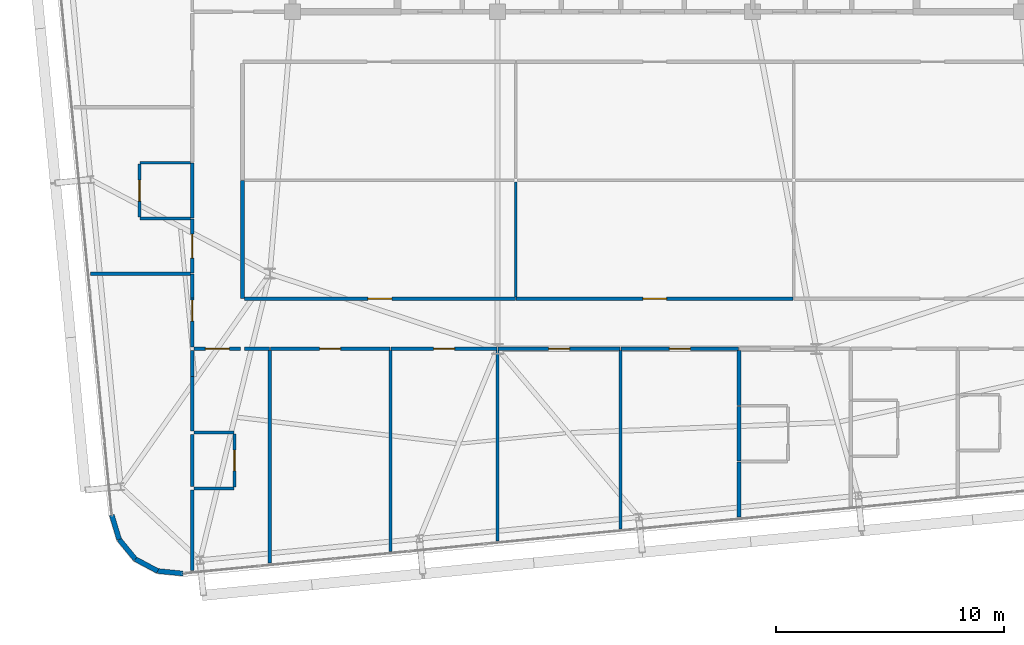
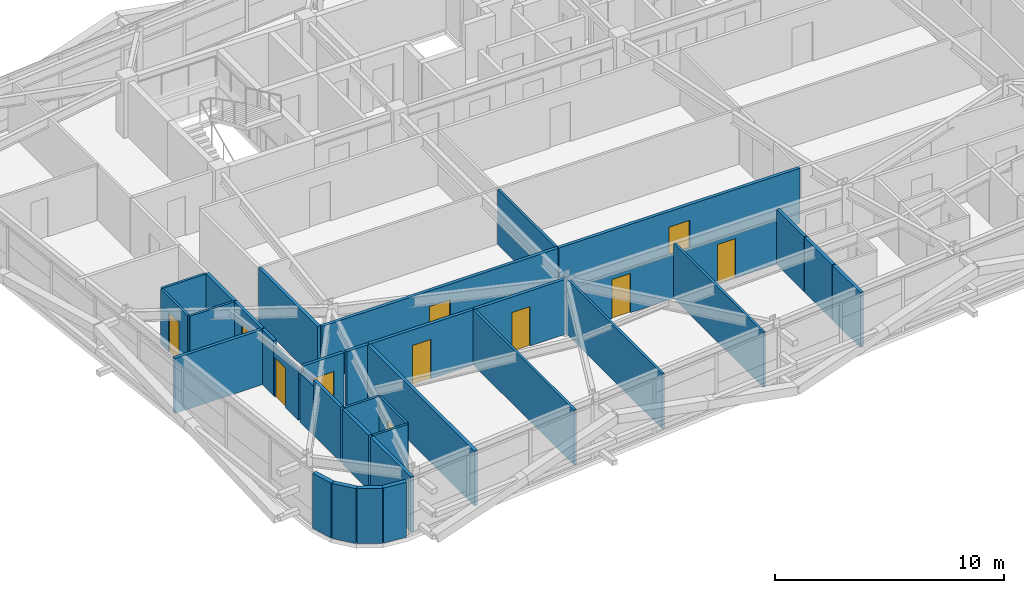
# One storey, part 46 of 54: 36 walls, 11 doors, 11 openings.
"""IFC4 building model written with IfcOpenShell, lengths in metres."""

from ifc_helpers import new_model, si_unit, direction, frame, frame_2d, origin, place, context, subcontext, project, spatial, rectangle, extrude, source, transform, mapped, material, layer, layer_set, type_object, element, fill, save


model = new_model("IFC4")

# Units and contexts
model_context = context("Model", 3, precision=1e-05, world=origin(), true_north=direction((0.0, 1.0)))
body_context = subcontext(model_context, "Body", "Model", "MODEL_VIEW")
ifc_project = project(units=[si_unit("LENGTHUNIT", "METRE"), si_unit("AREAUNIT", "SQUARE_METRE"), si_unit("VOLUMEUNIT", "CUBIC_METRE"), si_unit("PLANEANGLEUNIT", "RADIAN"), si_unit("MASSUNIT", "GRAM", prefix="KILO")], contexts=[model_context])

# Site, building, storey
site_placement = place(None, origin())
site = spatial("IfcSite", under=ifc_project, at=site_placement, CompositionType="ELEMENT")
building_placement = place(site_placement, origin())
building = spatial("IfcBuilding", under=site, at=building_placement, Name="Taldren Reach Tower", CompositionType="ELEMENT")
storey_placement = place(building_placement, frame((0.0, 0.0, 99.75)))
storey = spatial("IfcBuildingStorey", under=building, at=storey_placement, Name="L30", CompositionType="ELEMENT", Elevation=99.75)

# Walls
ifc_material_1 = material(Name="Pale Champagne Anodised Aluminium Cladding", Category="aluminium")
ifc_layer_1 = layer(ifc_material_1, 0.04, Name="Pale Champagne Anodised Aluminium Cladding", Category="aluminium")
ifc_material_2 = material(Name="Mineral Wool Acoustic Insulation", Category="insulation")
ifc_layer_2 = layer(ifc_material_2, 0.06, Name="Mineral Wool Acoustic Insulation", Category="insulation")
ifc_material_3 = material(Name="Steel Gr 350 (C350L0)", Category="steel")
ifc_layer_3 = layer(ifc_material_3, 0.12, Name="Steel Gr 350 (C350L0)", Category="steel")
ifc_layer_set_1 = layer_set([ifc_layer_1, ifc_layer_2, ifc_layer_3], Name="Pale Champagne Aluminium Cladding and Steel Gr 350 Stud Framing")
wall_type_1 = type_object("IfcWallType", Name="EW-CRN-220", PredefinedType="SOLIDWALL", material=ifc_layer_set_1)
shared_shape_1 = source(origin(), body_context, "Body", "SweptSolid", [
    extrude(rectangle(XDim=1.115966796875, YDim=0.219970703125, at=frame_2d((0.55810546875, 0.0))), origin(), (0.0, 0.0, 1.0), 2.929931640625),
])
for number, where, z_axis, x_axis, name in (
    (1, (11.062255859375, 1.90185546875, 0.0), (0.0, 0.0, 1.0), (0.289855603468, -0.957070388811, 0.0), "Rounded-corner pale-metal facade wall L30-SW1"),
    (2, (11.3857421875, 0.833740234375, 0.0), (0.0, 0.0, 1.0), (0.633988016432, -0.773342870285, 0.0), "Rounded-corner pale-metal facade wall L30-SW2"),
    (3, (13.0771484375, -0.5556640625, 0.0), (0.0, 0.0, 1.0), (0.995142755671, -0.09844234778, 0.0), "Rounded-corner pale-metal facade wall L30-SW4"),
):
    element("IfcWall", number, at=place(storey_placement, frame(where, z_axis=z_axis, x_axis=x_axis)), inside=storey, type_object=wall_type_1, Name=name, PredefinedType="SOLIDWALL", context=body_context, shape_type="MappedRepresentation", body=[
        mapped(shared_shape_1, transform((0.0, 0.0, 0.0), scale=1.0)),
    ])
shared_shape_2 = source(origin(), body_context, "Body", "SweptSolid", [
    extrude(rectangle(XDim=1.11572265625, YDim=0.219970703125, at=frame_2d((0.557861328125, 0.0))), origin(), (0.0, 0.0, 1.0), 2.929931640625),
])
wall_1_placement = place(storey_placement, frame((12.09326171875, -0.029296875, 0.0), z_axis=(0.0, 0.0, 1.0), x_axis=(0.881746547635, -0.471723463201, 0.0)))
element("IfcWall", 4, at=wall_1_placement, inside=storey, type_object=wall_type_1, Name="Rounded-corner pale-metal facade wall L30-SW3", PredefinedType="SOLIDWALL", context=body_context, shape_type="MappedRepresentation", body=[
    mapped(shared_shape_2, transform((0.0, 0.0, 0.0), scale=1.0)),
])

# Wall, opening, door
ifc_material_4 = material(Name="Fire-Rated Acoustic Plasterboard Stud Wall", Category="gypsum")
ifc_layer_4 = layer(ifc_material_4, 0.159912109375)
ifc_layer_set_2 = layer_set([ifc_layer_4], Name="Fire-Rated Acoustic Plasterboard Stud Wall")
wall_type_2 = type_object("IfcWallType", Name="IW-FIRE-160", PredefinedType="PARTITIONING", material=ifc_layer_set_2)
shared_shape_3 = source(origin(), body_context, "Body", "SweptSolid", [
    extrude(rectangle(XDim=2.0400390625, YDim=0.159912109375, at=frame_2d((1.02001953125, 0.0))), origin(), (0.0, 0.0, 1.0), 2.929931640625),
])
wall_2_placement = place(storey_placement, frame((16.719970703125, 9.199951171875, 0.0), z_axis=(0.0, 0.0, 1.0), x_axis=(-1.0, 0.0, 0.0)))
wall_2 = element("IfcWall", 5, at=wall_2_placement, inside=storey, type_object=wall_type_2, Name="Interior Partition Wall W-INT-L30-067", PredefinedType="PARTITIONING", context=body_context, shape_type="MappedRepresentation", body=[
    mapped(shared_shape_3, transform((0.0, 0.0, 0.0), scale=1.0)),
])
shared_shape_4 = source(origin(), body_context, "Body", "SweptSolid", [
    extrude(rectangle(XDim=1.050048828125, YDim=2.10009765625, at=frame_2d((0.52490234375, 1.050048828125))), frame((0.0, 0.08984375, 0.0), z_axis=(0.0, -1.0, 0.0), x_axis=(1.0, 0.0, 0.0)), (0.0, 0.0, 1.0), 0.179931640625),
])
opening_1_placement = place(wall_2_placement, frame((0.4951171875, 0.0, 0.0)))
opening_1 = element("IfcOpeningElement", 6, at=opening_1_placement, cuts=wall_2, Name="Opening DF-105", PredefinedType="OPENING", context=body_context, shape_type="MappedRepresentation", body=[
    mapped(shared_shape_4, transform((0.0, 0.0, 0.0), scale=1.0)),
])
ifc_material_5 = material(Name="Fire-Rated Care and Stair Exit Door")
door_type_1 = type_object("IfcDoorType", Name="ID-FIRE-105", OperationType="NOTDEFINED", PredefinedType="DOOR", material=ifc_material_5)
shared_shape_5 = source(origin(), body_context, "Body", "SweptSolid", [
    extrude(rectangle(XDim=1.050048828125, YDim=2.10009765625, at=frame_2d((0.52490234375, 1.050048828125))), frame((0.0, 0.02490234375, 0.0), z_axis=(0.0, -1.0, 0.0), x_axis=(1.0, 0.0, 0.0)), (0.0, 0.0, 1.0), 0.050048828125),
])
door_1_placement = place(opening_1_placement, origin())
door_1 = element("IfcDoor", 7, at=door_1_placement, inside=storey, type_object=door_type_1, Name="Interior Door DR-L30-017", OperationType="SINGLE_SWING_RIGHT", OverallHeight=2.10009765625, OverallWidth=1.050048828125, PredefinedType="DOOR", context=body_context, shape_type="MappedRepresentation", body=[
    mapped(shared_shape_5, transform((0.0, 0.0, 0.0), scale=1.0)),
])
fill(opening_1, door_1)

# Walls
shared_shape_6 = source(origin(), body_context, "Body", "SweptSolid", [
    extrude(rectangle(XDim=5.15966796875, YDim=0.159912109375, at=frame_2d((2.579833984375, 0.0))), origin(), (0.0, 0.0, 1.0), 2.929931640625),
])
wall_3_placement = place(storey_placement, frame((16.800048828125, 16.579833984375, 0.0), z_axis=(0.0, 0.0, 1.0), x_axis=(0.0, -1.0, 0.0)))
element("IfcWall", 8, at=wall_3_placement, inside=storey, type_object=wall_type_2, Name="Interior Partition Wall W-INT-L30-060", PredefinedType="PARTITIONING", context=body_context, shape_type="MappedRepresentation", body=[
    mapped(shared_shape_6, transform((0.0, 0.0, 0.0), scale=1.0)),
])
shared_shape_7 = source(origin(), body_context, "Body", "SweptSolid", [
    extrude(rectangle(XDim=1.099853515625, YDim=0.159912109375, at=frame_2d((0.5498046875, 0.0))), origin(), (0.0, 0.0, 1.0), 2.929931640625),
])
wall_4_placement = place(storey_placement, frame((17.979736328125, 9.199951171875, 0.0), z_axis=(0.0, 0.0, 1.0), x_axis=(-1.0, 0.0, 0.0)))
element("IfcWall", 9, at=wall_4_placement, inside=storey, type_object=wall_type_2, Name="Interior Partition Wall W-INT-L30-081", PredefinedType="PARTITIONING", context=body_context, shape_type="MappedRepresentation", body=[
    mapped(shared_shape_7, transform((0.0, 0.0, 0.0), scale=1.0)),
])
ifc_material_6 = material(Name="Insulated Residential Stud Partition", Category="gypsum")
ifc_layer_5 = layer(ifc_material_6, 0.1201171875)
ifc_layer_set_3 = layer_set([ifc_layer_5], Name="Insulated Residential Stud Partition")
wall_type_3 = type_object("IfcWallType", Name="IW-PART-120", PredefinedType="PARTITIONING", material=ifc_layer_set_3)
shared_shape_8 = source(origin(), body_context, "Body", "SweptSolid", [
    extrude(rectangle(XDim=5.0400390625, YDim=0.1201171875, at=frame_2d((2.52001953125, 0.0))), origin(), (0.0, 0.0, 1.0), 2.929931640625),
])
wall_5_placement = place(storey_placement, frame((28.800048828125, 16.52001953125, 0.0), z_axis=(0.0, 0.0, 1.0), x_axis=(0.0, -1.0, 0.0)))
element("IfcWall", 10, at=wall_5_placement, inside=storey, type_object=wall_type_3, Name="Interior Partition Wall W-INT-L30-091", PredefinedType="PARTITIONING", context=body_context, shape_type="MappedRepresentation", body=[
    mapped(shared_shape_8, transform((0.0, 0.0, 0.0), scale=1.0)),
])

# Wall, opening, door
shared_shape_9 = source(origin(), body_context, "Body", "SweptSolid", [
    extrude(rectangle(XDim=2.330078125, YDim=0.1201171875, at=frame_2d((1.1650390625, 0.0))), origin(), (0.0, 0.0, 1.0), 2.929931640625),
])
wall_6_placement = place(storey_placement, frame((16.449951171875, 3.131591796875, 0.0), z_axis=(0.0, 0.0, 1.0), x_axis=(0.0, 1.0, 0.0)))
wall_6 = element("IfcWall", 11, at=wall_6_placement, inside=storey, type_object=wall_type_3, Name="Interior Partition Wall W-INT-L30-097", PredefinedType="PARTITIONING", context=body_context, shape_type="MappedRepresentation", body=[
    mapped(shared_shape_9, transform((0.0, 0.0, 0.0), scale=1.0)),
])
shared_shape_10 = source(origin(), body_context, "Body", "SweptSolid", [
    extrude(rectangle(XDim=0.919921875, YDim=2.10009765625, at=frame_2d((0.4599609375, 1.050048828125))), frame((0.0, 0.070068359375, 0.0), z_axis=(0.0, -1.0, 0.0), x_axis=(1.0, 0.0, 0.0)), (0.0, 0.0, 1.0), 0.14013671875),
])
opening_2_placement = place(wall_6_placement, frame((0.705078125, 0.0, 0.0)))
opening_2 = element("IfcOpeningElement", 12, at=opening_2_placement, cuts=wall_6, Name="Opening DI-092", PredefinedType="OPENING", context=body_context, shape_type="MappedRepresentation", body=[
    mapped(shared_shape_10, transform((0.0, 0.0, 0.0), scale=1.0)),
])
ifc_material_7 = material(Name="Solid-Core Timber Suite Door", Category="wood")
door_type_2 = type_object("IfcDoorType", Name="ID-INT-092", OperationType="NOTDEFINED", PredefinedType="DOOR", material=ifc_material_7)
shared_shape_11 = source(origin(), body_context, "Body", "SweptSolid", [
    extrude(rectangle(XDim=0.919921875, YDim=2.10009765625, at=frame_2d((0.4599609375, 1.050048828125))), frame((0.0, 0.02490234375, 0.0), z_axis=(0.0, -1.0, 0.0), x_axis=(1.0, 0.0, 0.0)), (0.0, 0.0, 1.0), 0.050048828125),
])
door_2_placement = place(opening_2_placement, origin())
door_2 = element("IfcDoor", 13, at=door_2_placement, inside=storey, type_object=door_type_2, Name="Interior Door DR-L30-035", OperationType="SINGLE_SWING_RIGHT", OverallHeight=2.10009765625, OverallWidth=0.919921875, PredefinedType="DOOR", context=body_context, shape_type="MappedRepresentation", body=[
    mapped(shared_shape_11, transform((0.0, 0.0, 0.0), scale=1.0)),
])
fill(opening_2, door_2)

# Walls
shared_shape_12 = source(origin(), body_context, "Body", "SweptSolid", [
    extrude(rectangle(XDim=1.749755859375, YDim=0.1201171875, at=frame_2d((0.875, 0.0))), origin(), (0.0, 0.0, 1.0), 2.929931640625),
])
for number, where, z_axis, x_axis, name in (
    (14, (14.679931640625, 3.071533203125, 0.0), (0.0, 0.0, 1.0), (1.0, 0.0, 0.0), "Interior Partition Wall W-INT-L30-098"),
    (15, (16.4296875, 5.521484375, 0.0), (0.0, 0.0, 1.0), (-1.0, 0.0, 0.0), "Interior Partition Wall W-INT-L30-099"),
):
    element("IfcWall", number, at=place(storey_placement, frame(where, z_axis=z_axis, x_axis=x_axis)), inside=storey, type_object=wall_type_3, Name=name, PredefinedType="PARTITIONING", context=body_context, shape_type="MappedRepresentation", body=[
        mapped(shared_shape_12, transform((0.0, 0.0, 0.0), scale=1.0)),
    ])
shared_shape_13 = source(origin(), body_context, "Body", "SweptSolid", [
    extrude(rectangle(XDim=2.40966796875, YDim=0.159912109375, at=frame_2d((1.204833984375, 0.0))), origin(), (0.0, 0.0, 1.0), 2.929931640625),
])
wall_7_placement = place(storey_placement, frame((38.60009765625, 6.677978515625, 0.0), z_axis=(0.0, 0.0, 1.0), x_axis=(0.0, -1.0, 0.0)))
element("IfcWall", 16, at=wall_7_placement, inside=storey, type_object=wall_type_2, Name="Interior Partition Wall W-INT-L30-109", PredefinedType="PARTITIONING", context=body_context, shape_type="MappedRepresentation", body=[
    mapped(shared_shape_13, transform((0.0, 0.0, 0.0), scale=1.0)),
])
shared_shape_14 = source(origin(), body_context, "Body", "SweptSolid", [
    extrude(rectangle(XDim=2.2900390625, YDim=0.159912109375, at=frame_2d((1.14501953125, 0.0))), origin(), (0.0, 0.0, 1.0), 2.929931640625),
])
wall_8_placement = place(storey_placement, frame((14.60009765625, 3.151611328125, 0.0), z_axis=(0.0, 0.0, 1.0), x_axis=(0.0, 1.0, 0.0)))
element("IfcWall", 17, at=wall_8_placement, inside=storey, type_object=wall_type_2, Name="Interior Partition Wall W-INT-L30-103", PredefinedType="PARTITIONING", context=body_context, shape_type="MappedRepresentation", body=[
    mapped(shared_shape_14, transform((0.0, 0.0, 0.0), scale=1.0)),
])

# Wall, opening, door
shared_shape_15 = source(origin(), body_context, "Body", "SweptSolid", [
    extrude(rectangle(XDim=12.159423828125, YDim=0.159912109375, at=frame_2d((6.07958984375, 0.0))), origin(), (0.0, 0.0, 1.0), 2.929931640625),
])
wall_9_placement = place(storey_placement, frame((28.8203125, 11.39990234375, 0.0), z_axis=(0.0, 0.0, 1.0), x_axis=(1.0, 0.0, 0.0)))
wall_9 = element("IfcWall", 18, at=wall_9_placement, inside=storey, type_object=wall_type_2, Name="Interior Partition Wall W-INT-L30-079", PredefinedType="PARTITIONING", context=body_context, shape_type="MappedRepresentation", body=[
    mapped(shared_shape_15, transform((0.0, 0.0, 0.0), scale=1.0)),
])
opening_3_placement = place(wall_9_placement, frame((5.5546875, 0.0, 0.0)))
opening_3 = element("IfcOpeningElement", 19, at=opening_3_placement, cuts=wall_9, Name="Opening DF-105", PredefinedType="OPENING", context=body_context, shape_type="MappedRepresentation", body=[
    mapped(shared_shape_4, transform((0.0, 0.0, 0.0), scale=1.0)),
])
door_3_placement = place(opening_3_placement, origin())
door_3 = element("IfcDoor", 20, at=door_3_placement, inside=storey, type_object=door_type_1, Name="Interior Door DR-L30-026", OperationType="SINGLE_SWING_LEFT", OverallHeight=2.10009765625, OverallWidth=1.050048828125, PredefinedType="DOOR", context=body_context, shape_type="MappedRepresentation", body=[
    mapped(shared_shape_5, transform((0.0, 0.0, 0.0), scale=1.0)),
])
fill(opening_3, door_3)

shared_shape_16 = source(origin(), body_context, "Body", "SweptSolid", [
    extrude(rectangle(XDim=11.89990234375, YDim=0.159912109375, at=frame_2d((5.949951171875, 0.0))), origin(), (0.0, 0.0, 1.0), 2.929931640625),
])
wall_10_placement = place(storey_placement, frame((16.8798828125, 11.39990234375, 0.0), z_axis=(0.0, 0.0, 1.0), x_axis=(1.0, 0.0, 0.0)))
wall_10 = element("IfcWall", 21, at=wall_10_placement, inside=storey, type_object=wall_type_2, Name="Interior Partition Wall W-INT-L30-078", PredefinedType="PARTITIONING", context=body_context, shape_type="MappedRepresentation", body=[
    mapped(shared_shape_16, transform((0.0, 0.0, 0.0), scale=1.0)),
])
opening_4_placement = place(wall_10_placement, frame((5.4248046875, 0.0, 0.0)))
opening_4 = element("IfcOpeningElement", 22, at=opening_4_placement, cuts=wall_10, Name="Opening DF-105", PredefinedType="OPENING", context=body_context, shape_type="MappedRepresentation", body=[
    mapped(shared_shape_4, transform((0.0, 0.0, 0.0), scale=1.0)),
])
door_4_placement = place(opening_4_placement, origin())
door_4 = element("IfcDoor", 23, at=door_4_placement, inside=storey, type_object=door_type_1, Name="Interior Door DR-L30-025", OperationType="SINGLE_SWING_RIGHT", OverallHeight=2.10009765625, OverallWidth=1.050048828125, PredefinedType="DOOR", context=body_context, shape_type="MappedRepresentation", body=[
    mapped(shared_shape_5, transform((0.0, 0.0, 0.0), scale=1.0)),
])
fill(opening_4, door_4)

# Walls
shared_shape_17 = source(origin(), body_context, "Body", "SweptSolid", [
    extrude(rectangle(XDim=2.409423828125, YDim=0.159912109375, at=frame_2d((1.20458984375, 0.0))), origin(), (0.0, 0.0, 1.0), 2.929931640625),
])
wall_11_placement = place(storey_placement, frame((14.60009765625, 14.9453125, 0.0), z_axis=(0.0, 0.0, 1.0), x_axis=(0.0, 1.0, 0.0)))
element("IfcWall", 24, at=wall_11_placement, inside=storey, type_object=wall_type_2, Name="Interior Partition Wall W-INT-L30-072", PredefinedType="PARTITIONING", context=body_context, shape_type="MappedRepresentation", body=[
    mapped(shared_shape_17, transform((0.0, 0.0, 0.0), scale=1.0)),
])
shared_shape_18 = source(origin(), body_context, "Body", "SweptSolid", [
    extrude(rectangle(XDim=8.3486328125, YDim=0.1201171875, at=frame_2d((4.17431640625, 0.0))), origin(), (0.0, 0.0, 1.0), 2.929931640625),
])
wall_12_placement = place(storey_placement, frame((28.0, 9.1201171875, 0.0), z_axis=(0.0, 0.0, 1.0), x_axis=(0.0, -1.0, 0.0)))
element("IfcWall", 25, at=wall_12_placement, inside=storey, type_object=wall_type_3, Name="Interior Partition Wall W-INT-L30-105", PredefinedType="PARTITIONING", context=body_context, shape_type="MappedRepresentation", body=[
    mapped(shared_shape_18, transform((0.0, 0.0, 0.0), scale=1.0)),
])
shared_shape_19 = source(origin(), body_context, "Body", "SweptSolid", [
    extrude(rectangle(XDim=9.3251953125, YDim=0.159912109375, at=frame_2d((4.66259765625, 0.0))), origin(), (0.0, 0.0, 1.0), 2.929931640625),
])
wall_13_placement = place(storey_placement, frame((18.0, 9.117919921875, 0.0), z_axis=(0.0, 0.0, 1.0), x_axis=(0.0, -1.0, 0.0)))
element("IfcWall", 26, at=wall_13_placement, inside=storey, type_object=wall_type_2, Name="Interior Partition Wall W-INT-L30-100", PredefinedType="PARTITIONING", context=body_context, shape_type="MappedRepresentation", body=[
    mapped(shared_shape_19, transform((0.0, 0.0, 0.0), scale=1.0)),
])
shared_shape_20 = source(origin(), body_context, "Body", "SweptSolid", [
    extrude(rectangle(XDim=3.5166015625, YDim=0.159912109375, at=frame_2d((1.75830078125, 0.0))), origin(), (0.0, 0.0, 1.0), 2.929931640625),
])
wall_14_placement = place(storey_placement, frame((14.60009765625, -0.52490234375, 0.0), z_axis=(0.0, 0.0, 1.0), x_axis=(0.0, 1.0, 0.0)))
element("IfcWall", 27, at=wall_14_placement, inside=storey, type_object=wall_type_2, Name="Interior Partition Wall W-INT-L30-101", PredefinedType="PARTITIONING", context=body_context, shape_type="MappedRepresentation", body=[
    mapped(shared_shape_20, transform((0.0, 0.0, 0.0), scale=1.0)),
])
shared_shape_21 = source(origin(), body_context, "Body", "SweptSolid", [
    extrude(rectangle(XDim=2.373046875, YDim=0.159912109375, at=frame_2d((1.1865234375, 0.0))), origin(), (0.0, 0.0, 1.0), 2.929931640625),
])
wall_15_placement = place(storey_placement, frame((14.60009765625, 5.6015625, 0.0), z_axis=(0.0, 0.0, 1.0), x_axis=(0.0, 1.0, 0.0)))
element("IfcWall", 28, at=wall_15_placement, inside=storey, type_object=wall_type_2, Name="Interior Partition Wall W-INT-L30-102", PredefinedType="PARTITIONING", context=body_context, shape_type="MappedRepresentation", body=[
    mapped(shared_shape_21, transform((0.0, 0.0, 0.0), scale=1.0)),
])
shared_shape_22 = source(origin(), body_context, "Body", "SweptSolid", [
    extrude(rectangle(XDim=1.143310546875, YDim=0.159912109375, at=frame_2d((0.57177734375, 0.0))), origin(), (0.0, 0.0, 1.0), 2.623046875),
])
wall_16_placement = place(storey_placement, frame((14.60009765625, 7.974609375, 0.0), z_axis=(0.0, 0.0, 1.0), x_axis=(0.0, 1.0, 0.0)))
element("IfcWall", 29, at=wall_16_placement, inside=storey, type_object=wall_type_2, Name="Interior Partition Wall W-INT-L30-102 part 2", PredefinedType="PARTITIONING", context=body_context, shape_type="MappedRepresentation", body=[
    mapped(shared_shape_22, transform((0.0, 0.0, 0.0), scale=1.0)),
])

# Wall, opening, door
shared_shape_23 = source(origin(), body_context, "Body", "SweptSolid", [
    extrude(rectangle(XDim=2.329833984375, YDim=0.1201171875, at=frame_2d((1.1650390625, 0.0))), origin(), (0.0, 0.0, 1.0), 2.929931640625),
])
wall_17_placement = place(storey_placement, frame((12.279296875, 17.31494140625, 0.0), z_axis=(0.0, 0.0, 1.0), x_axis=(0.0, -1.0, 0.0)))
wall_17 = element("IfcWall", 30, at=wall_17_placement, inside=storey, type_object=wall_type_3, Name="Interior Partition Wall W-INT-L30-131", PredefinedType="PARTITIONING", context=body_context, shape_type="MappedRepresentation", body=[
    mapped(shared_shape_23, transform((0.0, 0.0, 0.0), scale=1.0)),
])
opening_5_placement = place(wall_17_placement, frame((0.705078125, 0.0, 0.0)))
opening_5 = element("IfcOpeningElement", 31, at=opening_5_placement, cuts=wall_17, Name="Opening DI-092", PredefinedType="OPENING", context=body_context, shape_type="MappedRepresentation", body=[
    mapped(shared_shape_10, transform((0.0, 0.0, 0.0), scale=1.0)),
])
door_5_placement = place(opening_5_placement, origin())
door_5 = element("IfcDoor", 32, at=door_5_placement, inside=storey, type_object=door_type_2, Name="Interior Door DR-L30-040", OperationType="SINGLE_SWING_LEFT", OverallHeight=2.10009765625, OverallWidth=0.919921875, PredefinedType="DOOR", context=body_context, shape_type="MappedRepresentation", body=[
    mapped(shared_shape_11, transform((0.0, 0.0, 0.0), scale=1.0)),
])
fill(opening_5, door_5)

shared_shape_24 = source(origin(), body_context, "Body", "SweptSolid", [
    extrude(rectangle(XDim=5.15966796875, YDim=0.159912109375, at=frame_2d((2.579833984375, 0.0))), origin(), (0.0, 0.0, 1.0), 2.327880859375),
])
wall_18_placement = place(storey_placement, frame((38.579833984375, 9.199951171875, 0.0), z_axis=(0.0, 0.0, 1.0), x_axis=(-1.0, 0.0, 0.0)))
wall_18 = element("IfcWall", 33, at=wall_18_placement, inside=storey, type_object=wall_type_2, Name="Interior Partition Wall W-INT-L30-085", PredefinedType="PARTITIONING", context=body_context, shape_type="MappedRepresentation", body=[
    mapped(shared_shape_24, transform((0.0, 0.0, 0.0), scale=1.0)),
])
shared_shape_25 = source(origin(), body_context, "Body", "SweptSolid", [
    extrude(rectangle(XDim=0.919921875, YDim=2.10009765625, at=frame_2d((0.4599609375, 1.050048828125))), frame((0.0, 0.08984375, 0.0), z_axis=(0.0, -1.0, 0.0), x_axis=(1.0, 0.0, 0.0)), (0.0, 0.0, 1.0), 0.179931640625),
])
opening_6_placement = place(wall_18_placement, frame((2.119873046875, 0.0, 0.0)))
opening_6 = element("IfcOpeningElement", 34, at=opening_6_placement, cuts=wall_18, Name="Opening DI-092", PredefinedType="OPENING", context=body_context, shape_type="MappedRepresentation", body=[
    mapped(shared_shape_25, transform((0.0, 0.0, 0.0), scale=1.0)),
])
door_6_placement = place(opening_6_placement, origin())
door_6 = element("IfcDoor", 35, at=door_6_placement, inside=storey, type_object=door_type_2, Name="Interior Door DR-L30-031", OperationType="SINGLE_SWING_RIGHT", OverallHeight=2.10009765625, OverallWidth=0.919921875, PredefinedType="DOOR", context=body_context, shape_type="MappedRepresentation", body=[
    mapped(shared_shape_11, transform((0.0, 0.0, 0.0), scale=1.0)),
])
fill(opening_6, door_6)

shared_shape_26 = source(origin(), body_context, "Body", "SweptSolid", [
    extrude(rectangle(XDim=2.159912109375, YDim=0.159912109375, at=frame_2d((1.080078125, 0.0))), origin(), (0.0, 0.0, 1.0), 2.623046875),
])
wall_19_placement = place(storey_placement, frame((14.60009765625, 9.280029296875, 0.0), z_axis=(0.0, 0.0, 1.0), x_axis=(0.0, 1.0, 0.0)))
wall_19 = element("IfcWall", 36, at=wall_19_placement, inside=storey, type_object=wall_type_2, Name="Interior Partition Wall W-INT-L30-069", PredefinedType="PARTITIONING", context=body_context, shape_type="MappedRepresentation", body=[
    mapped(shared_shape_26, transform((0.0, 0.0, 0.0), scale=1.0)),
])
opening_7_placement = place(wall_19_placement, frame((1.139892578125, 0.0, 0.0)))
opening_7 = element("IfcOpeningElement", 37, at=opening_7_placement, cuts=wall_19, Name="Opening DI-092", PredefinedType="OPENING", context=body_context, shape_type="MappedRepresentation", body=[
    mapped(shared_shape_25, transform((0.0, 0.0, 0.0), scale=1.0)),
])
door_7_placement = place(opening_7_placement, origin())
door_7 = element("IfcDoor", 38, at=door_7_placement, inside=storey, type_object=door_type_2, Name="Interior Door DR-L30-019", OperationType="SINGLE_SWING_RIGHT", OverallHeight=2.10009765625, OverallWidth=0.919921875, PredefinedType="DOOR", context=body_context, shape_type="MappedRepresentation", body=[
    mapped(shared_shape_11, transform((0.0, 0.0, 0.0), scale=1.0)),
])
fill(opening_7, door_7)

# Wall
shared_shape_27 = source(origin(), body_context, "Body", "SweptSolid", [
    extrude(rectangle(XDim=1.039794921875, YDim=0.159912109375, at=frame_2d((0.52001953125, 0.0))), origin(), (0.0, 0.0, 1.0), 2.929931640625),
])
wall_20_placement = place(storey_placement, frame((14.60009765625, 11.43994140625, 0.0), z_axis=(0.0, 0.0, 1.0), x_axis=(0.0, 1.0, 0.0)))
element("IfcWall", 39, at=wall_20_placement, inside=storey, type_object=wall_type_2, Name="Interior Partition Wall W-INT-L30-069 part 2", PredefinedType="PARTITIONING", context=body_context, shape_type="MappedRepresentation", body=[
    mapped(shared_shape_27, transform((0.0, 0.0, 0.0), scale=1.0)),
])

# Wall, opening, door
shared_shape_28 = source(origin(), body_context, "Body", "SweptSolid", [
    extrude(rectangle(XDim=2.384521484375, YDim=0.159912109375, at=frame_2d((1.1923828125, 0.0))), origin(), (0.0, 0.0, 1.0), 2.929931640625),
])
wall_21_placement = place(storey_placement, frame((14.60009765625, 12.520263671875, 0.0), z_axis=(0.0, 0.0, 1.0), x_axis=(0.0, 1.0, 0.0)))
wall_21 = element("IfcWall", 40, at=wall_21_placement, inside=storey, type_object=wall_type_2, Name="Interior Partition Wall W-INT-L30-070", PredefinedType="PARTITIONING", context=body_context, shape_type="MappedRepresentation", body=[
    mapped(shared_shape_28, transform((0.0, 0.0, 0.0), scale=1.0)),
])
opening_8_placement = place(wall_21_placement, frame((0.667236328125, 0.0, 0.0)))
opening_8 = element("IfcOpeningElement", 41, at=opening_8_placement, cuts=wall_21, Name="Opening DF-105", PredefinedType="OPENING", context=body_context, shape_type="MappedRepresentation", body=[
    mapped(shared_shape_4, transform((0.0, 0.0, 0.0), scale=1.0)),
])
door_8_placement = place(opening_8_placement, origin())
door_8 = element("IfcDoor", 42, at=door_8_placement, inside=storey, type_object=door_type_1, Name="Interior Door DR-L30-020", OperationType="SINGLE_SWING_LEFT", OverallHeight=2.10009765625, OverallWidth=1.050048828125, PredefinedType="DOOR", context=body_context, shape_type="MappedRepresentation", body=[
    mapped(shared_shape_5, transform((0.0, 0.0, 0.0), scale=1.0)),
])
fill(opening_8, door_8)

shared_shape_29 = source(origin(), body_context, "Body", "SweptSolid", [
    extrude(rectangle(XDim=5.259521484375, YDim=0.159912109375, at=frame_2d((2.6298828125, 0.0))), origin(), (0.0, 0.0, 1.0), 2.929931640625),
])
wall_22_placement = place(storey_placement, frame((23.27978515625, 9.199951171875, 0.0), z_axis=(0.0, 0.0, 1.0), x_axis=(-1.0, 0.0, 0.0)))
wall_22 = element("IfcWall", 43, at=wall_22_placement, inside=storey, type_object=wall_type_2, Name="Interior Partition Wall W-INT-L30-082", PredefinedType="PARTITIONING", context=body_context, shape_type="MappedRepresentation", body=[
    mapped(shared_shape_29, transform((0.0, 0.0, 0.0), scale=1.0)),
])
opening_9_placement = place(wall_22_placement, frame((2.169921875, 0.0, 0.0)))
opening_9 = element("IfcOpeningElement", 44, at=opening_9_placement, cuts=wall_22, Name="Opening DI-092", PredefinedType="OPENING", context=body_context, shape_type="MappedRepresentation", body=[
    mapped(shared_shape_25, transform((0.0, 0.0, 0.0), scale=1.0)),
])
door_9_placement = place(opening_9_placement, origin())
door_9 = element("IfcDoor", 45, at=door_9_placement, inside=storey, type_object=door_type_2, Name="Interior Door DR-L30-028", OperationType="SINGLE_SWING_LEFT", OverallHeight=2.10009765625, OverallWidth=0.919921875, PredefinedType="DOOR", context=body_context, shape_type="MappedRepresentation", body=[
    mapped(shared_shape_11, transform((0.0, 0.0, 0.0), scale=1.0)),
])
fill(opening_9, door_9)

shared_shape_30 = source(origin(), body_context, "Body", "SweptSolid", [
    extrude(rectangle(XDim=4.659423828125, YDim=0.159912109375, at=frame_2d((2.32958984375, 0.0))), origin(), (0.0, 0.0, 1.0), 2.929931640625),
])
wall_23_placement = place(storey_placement, frame((27.979736328125, 9.199951171875, 0.0), z_axis=(0.0, 0.0, 1.0), x_axis=(-1.0, 0.0, 0.0)))
wall_23 = element("IfcWall", 46, at=wall_23_placement, inside=storey, type_object=wall_type_2, Name="Interior Partition Wall W-INT-L30-083", PredefinedType="PARTITIONING", context=body_context, shape_type="MappedRepresentation", body=[
    mapped(shared_shape_30, transform((0.0, 0.0, 0.0), scale=1.0)),
])
opening_10_placement = place(wall_23_placement, frame((1.869873046875, 0.0, 0.0)))
opening_10 = element("IfcOpeningElement", 47, at=opening_10_placement, cuts=wall_23, Name="Opening DI-092", PredefinedType="OPENING", context=body_context, shape_type="MappedRepresentation", body=[
    mapped(shared_shape_25, transform((0.0, 0.0, 0.0), scale=1.0)),
])
door_10_placement = place(opening_10_placement, origin())
door_10 = element("IfcDoor", 48, at=door_10_placement, inside=storey, type_object=door_type_2, Name="Interior Door DR-L30-029", OperationType="SINGLE_SWING_RIGHT", OverallHeight=2.10009765625, OverallWidth=0.919921875, PredefinedType="DOOR", context=body_context, shape_type="MappedRepresentation", body=[
    mapped(shared_shape_11, transform((0.0, 0.0, 0.0), scale=1.0)),
])
fill(opening_10, door_10)

shared_shape_31 = source(origin(), body_context, "Body", "SweptSolid", [
    extrude(rectangle(XDim=5.359619140625, YDim=0.159912109375, at=frame_2d((2.6796875, 0.0))), origin(), (0.0, 0.0, 1.0), 2.327880859375),
])
wall_24_placement = place(storey_placement, frame((33.3798828125, 9.199951171875, 0.0), z_axis=(0.0, 0.0, 1.0), x_axis=(-1.0, 0.0, 0.0)))
wall_24 = element("IfcWall", 49, at=wall_24_placement, inside=storey, type_object=wall_type_2, Name="Interior Partition Wall W-INT-L30-084", PredefinedType="PARTITIONING", context=body_context, shape_type="MappedRepresentation", body=[
    mapped(shared_shape_31, transform((0.0, 0.0, 0.0), scale=1.0)),
])
opening_11_placement = place(wall_24_placement, frame((2.2197265625, 0.0, 0.0)))
opening_11 = element("IfcOpeningElement", 50, at=opening_11_placement, cuts=wall_24, Name="Opening DI-092", PredefinedType="OPENING", context=body_context, shape_type="MappedRepresentation", body=[
    mapped(shared_shape_25, transform((0.0, 0.0, 0.0), scale=1.0)),
])
door_11_placement = place(opening_11_placement, origin())
door_11 = element("IfcDoor", 51, at=door_11_placement, inside=storey, type_object=door_type_2, Name="Interior Door DR-L30-030", OperationType="SINGLE_SWING_LEFT", OverallHeight=2.10009765625, OverallWidth=0.919921875, PredefinedType="DOOR", context=body_context, shape_type="MappedRepresentation", body=[
    mapped(shared_shape_11, transform((0.0, 0.0, 0.0), scale=1.0)),
])
fill(opening_11, door_11)

# Walls
shared_shape_32 = source(origin(), body_context, "Body", "SweptSolid", [
    extrude(rectangle(XDim=8.8095703125, YDim=0.1201171875, at=frame_2d((4.40478515625, 0.0))), origin(), (0.0, 0.0, 1.0), 2.929931640625),
])
wall_25_placement = place(storey_placement, frame((23.300048828125, 9.1201171875, 0.0), z_axis=(0.0, 0.0, 1.0), x_axis=(0.0, -1.0, 0.0)))
element("IfcWall", 52, at=wall_25_placement, inside=storey, type_object=wall_type_3, Name="Interior Partition Wall W-INT-L30-104", PredefinedType="PARTITIONING", context=body_context, shape_type="MappedRepresentation", body=[
    mapped(shared_shape_32, transform((0.0, 0.0, 0.0), scale=1.0)),
])
shared_shape_33 = source(origin(), body_context, "Body", "SweptSolid", [
    extrude(rectangle(XDim=7.8193359375, YDim=0.1201171875, at=frame_2d((3.90966796875, 0.0))), origin(), (0.0, 0.0, 1.0), 2.929931640625),
])
wall_26_placement = place(storey_placement, frame((33.39990234375, 9.1201171875, 0.0), z_axis=(0.0, 0.0, 1.0), x_axis=(0.0, -1.0, 0.0)))
element("IfcWall", 53, at=wall_26_placement, inside=storey, type_object=wall_type_3, Name="Interior Partition Wall W-INT-L30-106", PredefinedType="PARTITIONING", context=body_context, shape_type="MappedRepresentation", body=[
    mapped(shared_shape_33, transform((0.0, 0.0, 0.0), scale=1.0)),
])
shared_shape_34 = source(origin(), body_context, "Body", "SweptSolid", [
    extrude(rectangle(XDim=2.417236328125, YDim=0.159912109375, at=frame_2d((1.20849609375, 0.0))), origin(), (0.0, 0.0, 1.0), 2.929931640625),
])
wall_27_placement = place(storey_placement, frame((38.60009765625, 4.22802734375, 0.0), z_axis=(0.0, 0.0, 1.0), x_axis=(0.0, -1.0, 0.0)))
element("IfcWall", 54, at=wall_27_placement, inside=storey, type_object=wall_type_2, Name="Interior Partition Wall W-INT-L30-107", PredefinedType="PARTITIONING", context=body_context, shape_type="MappedRepresentation", body=[
    mapped(shared_shape_34, transform((0.0, 0.0, 0.0), scale=1.0)),
])
shared_shape_35 = source(origin(), body_context, "Body", "SweptSolid", [
    extrude(rectangle(XDim=2.401611328125, YDim=0.159912109375, at=frame_2d((1.20068359375, 0.0))), origin(), (0.0, 0.0, 1.0), 2.929931640625),
])
wall_28_placement = place(storey_placement, frame((38.60009765625, 9.1201171875, 0.0), z_axis=(0.0, 0.0, 1.0), x_axis=(0.0, -1.0, 0.0)))
element("IfcWall", 55, at=wall_28_placement, inside=storey, type_object=wall_type_2, Name="Interior Partition Wall W-INT-L30-108", PredefinedType="PARTITIONING", context=body_context, shape_type="MappedRepresentation", body=[
    mapped(shared_shape_35, transform((0.0, 0.0, 0.0), scale=1.0)),
])
shared_shape_36 = source(origin(), body_context, "Body", "SweptSolid", [
    extrude(rectangle(XDim=4.398681640625, YDim=0.159912109375, at=frame_2d((2.19921875, 0.0))), origin(), (0.0, 0.0, 1.0), 2.929931640625),
])
wall_29_placement = place(storey_placement, frame((10.121337890625, 12.5, 0.0), z_axis=(0.0, 0.0, 1.0), x_axis=(1.0, 0.0, 0.0)))
element("IfcWall", 56, at=wall_29_placement, inside=storey, type_object=wall_type_2, Name="Interior Partition Wall W-INT-L30-130", PredefinedType="PARTITIONING", context=body_context, shape_type="MappedRepresentation", body=[
    mapped(shared_shape_36, transform((0.0, 0.0, 0.0), scale=1.0)),
])
shared_shape_37 = source(origin(), body_context, "Body", "SweptSolid", [
    extrude(rectangle(XDim=2.220703125, YDim=0.1201171875, at=frame_2d((1.1103515625, 0.0))), origin(), (0.0, 0.0, 1.0), 2.929931640625),
])
for number, where, z_axis, x_axis, name in (
    (57, (14.52001953125, 17.375, 0.0), (0.0, 0.0, 1.0), (-1.0, 0.0, 0.0), "Interior Partition Wall W-INT-L30-132"),
    (58, (12.29931640625, 14.925048828125, 0.0), (0.0, 0.0, 1.0), (1.0, 0.0, 0.0), "Interior Partition Wall W-INT-L30-133"),
):
    element("IfcWall", number, at=place(storey_placement, frame(where, z_axis=z_axis, x_axis=x_axis)), inside=storey, type_object=wall_type_3, Name=name, PredefinedType="PARTITIONING", context=body_context, shape_type="MappedRepresentation", body=[
        mapped(shared_shape_37, transform((0.0, 0.0, 0.0), scale=1.0)),
    ])

save(model, "model.ifc")
